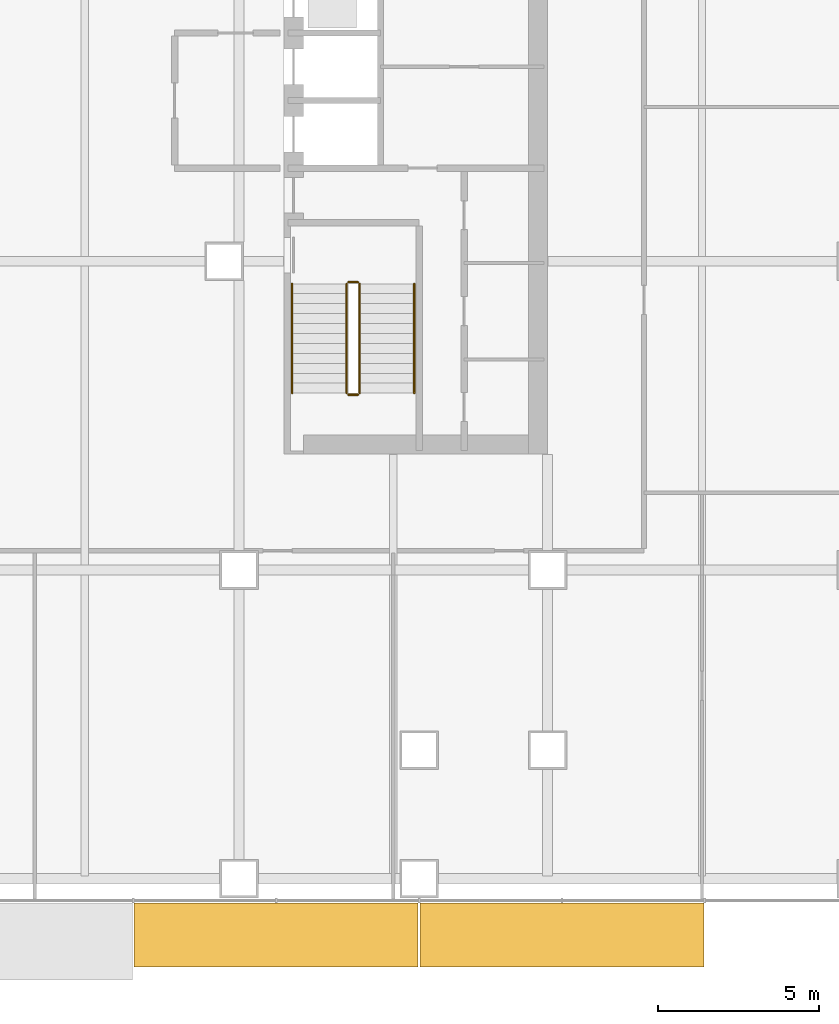
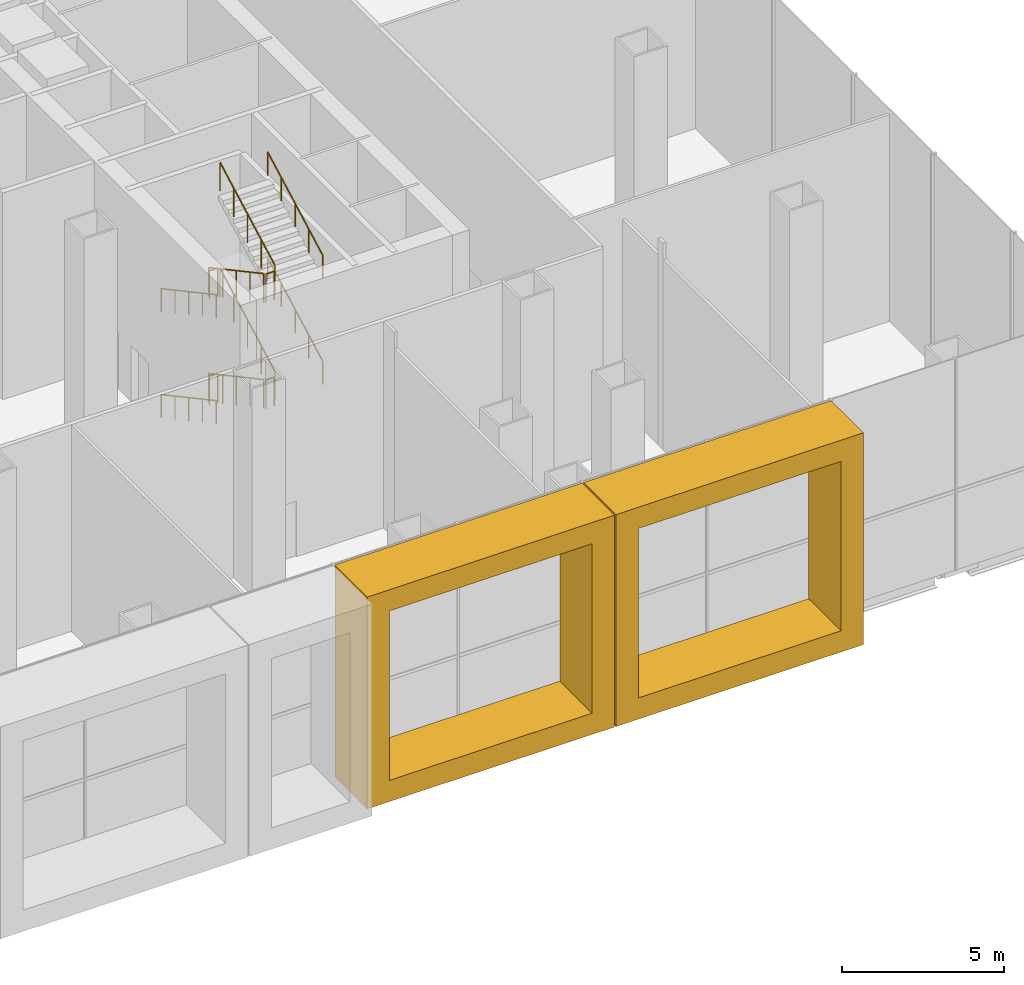
# One storey, part 22 of 24: 12 railings, 2 coverings.
"""IFC4 building model written with IfcOpenShell, lengths in metres."""

from ifc_helpers import new_model, si_unit, direction, frame, origin, origin_2d, place, context, subcontext, project, spatial, polyline, circle, outline, extrude, material, type_object, element, save


model = new_model("IFC4")

# Units and contexts
model_context = context("Model", 3, precision=1e-05, world=origin(), true_north=direction((0.0, 1.0)))
body_context = subcontext(model_context, "Body", "Model", "MODEL_VIEW")
ifc_project = project(units=[si_unit("LENGTHUNIT", "METRE"), si_unit("AREAUNIT", "SQUARE_METRE"), si_unit("VOLUMEUNIT", "CUBIC_METRE"), si_unit("PLANEANGLEUNIT", "RADIAN"), si_unit("MASSUNIT", "GRAM", prefix="KILO")], contexts=[model_context])

# Site, building, storey
site_placement = place(None, origin())
site = spatial("IfcSite", under=ifc_project, at=site_placement, CompositionType="ELEMENT")
building_placement = place(site_placement, origin())
building = spatial("IfcBuilding", under=site, at=building_placement, Name="Cobrizo Arcos Hotel Tower", CompositionType="ELEMENT")
storey_placement = place(building_placement, frame((0.0, 0.0, 7.5)))
storey = spatial("IfcBuildingStorey", under=building, at=storey_placement, Name="L01", CompositionType="ELEMENT", Elevation=7.5)

# Coverings
ifc_material_1 = material(Name="Aluminium 6063-T6 anodised bronze", Category="aluminium")
covering_type = type_object("IfcCoveringType", Name="FIN-F 2000", PredefinedType="CLADDING", material=ifc_material_1)
for number, where, z_axis, x_axis, name in (
    (1, (11.135986328125, -24.75, 0.0), (0.0, -1.0, 0.0), (1.0, 0.0, 0.0), "Fin frame 489"),
    (2, (20.02490234375, -24.75, 0.0), (0.0, -1.0, 0.0), (1.0, 0.0, 0.0), "Fin frame 490"),
):
    element("IfcCovering", number, at=place(storey_placement, frame(where, z_axis=z_axis, x_axis=x_axis)), inside=storey, type_object=covering_type, Name=name, PredefinedType="CLADDING", context=body_context, shape_type="SweptSolid", body=[
        extrude(outline(polyline([(0.0, 8.0), (0.0, 0.0), (8.8388671875, 0.0), (8.8388671875, 8.0), (0.0, 8.0)]), holes=[polyline([(8.038818359375, 0.800048828125), (0.800048828125, 0.800048828125), (0.800048828125, 7.199951171875), (8.038818359375, 7.199951171875), (8.038818359375, 0.800048828125)])]), origin(), (0.0, 0.0, 1.0), 2.0),
    ])

# Railings
ifc_material_2 = material(Name="Stainless steel railing", Category="steel")
railing_type_1 = type_object("IfcRailingType", Name="Stair guard 1100", PredefinedType="GUARDRAIL", material=ifc_material_2)
railing_1_placement = place(storey_placement, frame((17.75, -5.5, 0.166748046875)))
element("IfcRailing", 3, at=railing_1_placement, inside=storey, type_object=railing_type_1, Name="L01 ST-E stair guard 1", PredefinedType="GUARDRAIL", context=body_context, shape_type="SweptSolid", body=[
    extrude(circle(Radius=0.02392578125, at=origin_2d()), frame((0.0, 0.0, 1.076171875), z_axis=(0.0, -0.880196966628, 0.4746085755), x_axis=(1.0, 0.0, 0.0)), (0.0, 0.0, 1.0), 3.862548828125),
    extrude(circle(Radius=0.02099609375, at=origin_2d()), origin(), (0.0, 0.0, 1.0), 1.052001953125),
    extrude(circle(Radius=0.02099609375, at=origin_2d()), frame((0.0, -0.85009765625, 0.458251953125)), (0.0, 0.0, 1.0), 1.052001953125),
    extrude(circle(Radius=0.02099609375, at=origin_2d()), frame((0.0, -1.699951171875, 0.91650390625)), (0.0, 0.0, 1.0), 1.052001953125),
    extrude(circle(Radius=0.02099609375, at=origin_2d()), frame((0.0, -2.5498046875, 1.375)), (0.0, 0.0, 1.0), 1.052001953125),
    extrude(circle(Radius=0.02099609375, at=origin_2d()), frame((0.0, -3.39990234375, 1.833251953125)), (0.0, 0.0, 1.0), 1.052001953125),
])
railing_2_placement = place(storey_placement, frame((17.800048828125, -8.949951171875, 2.0)))
element("IfcRailing", 4, at=railing_2_placement, inside=storey, type_object=railing_type_1, Name="L01 ST-E stair guard 2", PredefinedType="GUARDRAIL", context=body_context, shape_type="SweptSolid", body=[
    extrude(circle(Radius=0.02392578125, at=origin_2d()), frame((0.0, 0.0, 1.076171875), z_axis=(1.0, 0.0, 0.0), x_axis=(0.0, 1.0, 0.0)), (0.0, 0.0, 1.0), 0.300048828125),
    extrude(circle(Radius=0.02099609375, at=origin_2d()), origin(), (0.0, 0.0, 1.0), 1.052001953125),
    extrude(circle(Radius=0.02099609375, at=origin_2d()), frame((0.300048828125, 0.0, 0.0)), (0.0, 0.0, 1.0), 1.052001953125),
])
railing_3_placement = place(storey_placement, frame((18.14990234375, -8.89990234375, 2.166748046875)))
element("IfcRailing", 5, at=railing_3_placement, inside=storey, type_object=railing_type_1, Name="L01 ST-E stair guard 3", PredefinedType="GUARDRAIL", context=body_context, shape_type="SweptSolid", body=[
    extrude(circle(Radius=0.02392578125, at=origin_2d()), frame((0.0, 0.0, 1.076171875), z_axis=(0.0, 0.880196966628, 0.4746085755), x_axis=(-1.0, 0.0, 0.0)), (0.0, 0.0, 1.0), 3.862548828125),
    extrude(circle(Radius=0.02099609375, at=origin_2d()), origin(), (0.0, 0.0, 1.0), 1.052001953125),
    extrude(circle(Radius=0.02099609375, at=origin_2d()), frame((0.0, 0.85009765625, 0.458251953125)), (0.0, 0.0, 1.0), 1.052001953125),
    extrude(circle(Radius=0.02099609375, at=origin_2d()), frame((0.0, 1.699951171875, 0.91650390625)), (0.0, 0.0, 1.0), 1.052001953125),
    extrude(circle(Radius=0.02099609375, at=origin_2d()), frame((0.0, 2.5498046875, 1.375)), (0.0, 0.0, 1.0), 1.052001953125),
    extrude(circle(Radius=0.02099609375, at=origin_2d()), frame((0.0, 3.39990234375, 1.833251953125)), (0.0, 0.0, 1.0), 1.052001953125),
])
railing_4_placement = place(storey_placement, frame((17.800048828125, -5.449951171875, 4.0)))
element("IfcRailing", 6, at=railing_4_placement, inside=storey, type_object=railing_type_1, Name="L01 ST-E stair guard 4", PredefinedType="GUARDRAIL", context=body_context, shape_type="SweptSolid", body=[
    extrude(circle(Radius=0.02392578125, at=origin_2d()), frame((0.0, 0.0, 1.076171875), z_axis=(1.0, 0.0, 0.0), x_axis=(0.0, 1.0, 0.0)), (0.0, 0.0, 1.0), 0.300048828125),
    extrude(circle(Radius=0.02099609375, at=origin_2d()), origin(), (0.0, 0.0, 1.0), 1.052001953125),
    extrude(circle(Radius=0.02099609375, at=origin_2d()), frame((0.300048828125, 0.0, 0.0)), (0.0, 0.0, 1.0), 1.052001953125),
])
railing_5_placement = place(storey_placement, frame((17.75, -5.5, 4.166748046875)))
element("IfcRailing", 7, at=railing_5_placement, inside=storey, type_object=railing_type_1, Name="L01 ST-E stair guard 5", PredefinedType="GUARDRAIL", context=body_context, shape_type="SweptSolid", body=[
    extrude(circle(Radius=0.02392578125, at=origin_2d()), frame((0.0, 0.0, 1.076171875), z_axis=(0.0, -0.880196966628, 0.4746085755), x_axis=(1.0, 0.0, 0.0)), (0.0, 0.0, 1.0), 3.862548828125),
    extrude(circle(Radius=0.02099609375, at=origin_2d()), origin(), (0.0, 0.0, 1.0), 1.052001953125),
    extrude(circle(Radius=0.02099609375, at=origin_2d()), frame((0.0, -0.85009765625, 0.458251953125)), (0.0, 0.0, 1.0), 1.052001953125),
    extrude(circle(Radius=0.02099609375, at=origin_2d()), frame((0.0, -1.699951171875, 0.91650390625)), (0.0, 0.0, 1.0), 1.052001953125),
    extrude(circle(Radius=0.02099609375, at=origin_2d()), frame((0.0, -2.5498046875, 1.375)), (0.0, 0.0, 1.0), 1.052001953125),
    extrude(circle(Radius=0.02099609375, at=origin_2d()), frame((0.0, -3.39990234375, 1.833251953125)), (0.0, 0.0, 1.0), 1.052001953125),
])
railing_6_placement = place(storey_placement, frame((17.800048828125, -8.949951171875, 6.0)))
element("IfcRailing", 8, at=railing_6_placement, inside=storey, type_object=railing_type_1, Name="L01 ST-E stair guard 6", PredefinedType="GUARDRAIL", context=body_context, shape_type="SweptSolid", body=[
    extrude(circle(Radius=0.02392578125, at=origin_2d()), frame((0.0, 0.0, 1.076171875), z_axis=(1.0, 0.0, 0.0), x_axis=(0.0, 1.0, 0.0)), (0.0, 0.0, 1.0), 0.300048828125),
    extrude(circle(Radius=0.02099609375, at=origin_2d()), origin(), (0.0, 0.0, 1.0), 1.052001953125),
    extrude(circle(Radius=0.02099609375, at=origin_2d()), frame((0.300048828125, 0.0, 0.0)), (0.0, 0.0, 1.0), 1.052001953125),
])
railing_7_placement = place(storey_placement, frame((18.14990234375, -8.89990234375, 6.166748046875)))
element("IfcRailing", 9, at=railing_7_placement, inside=storey, type_object=railing_type_1, Name="L01 ST-E stair guard 7", PredefinedType="GUARDRAIL", context=body_context, shape_type="SweptSolid", body=[
    extrude(circle(Radius=0.02392578125, at=origin_2d()), frame((0.0, 0.0, 1.076171875), z_axis=(0.0, 0.880196966628, 0.4746085755), x_axis=(-1.0, 0.0, 0.0)), (0.0, 0.0, 1.0), 3.862548828125),
    extrude(circle(Radius=0.02099609375, at=origin_2d()), origin(), (0.0, 0.0, 1.0), 1.052001953125),
    extrude(circle(Radius=0.02099609375, at=origin_2d()), frame((0.0, 0.85009765625, 0.458251953125)), (0.0, 0.0, 1.0), 1.052001953125),
    extrude(circle(Radius=0.02099609375, at=origin_2d()), frame((0.0, 1.699951171875, 0.91650390625)), (0.0, 0.0, 1.0), 1.052001953125),
    extrude(circle(Radius=0.02099609375, at=origin_2d()), frame((0.0, 2.5498046875, 1.375)), (0.0, 0.0, 1.0), 1.052001953125),
    extrude(circle(Radius=0.02099609375, at=origin_2d()), frame((0.0, 3.39990234375, 1.833251953125)), (0.0, 0.0, 1.0), 1.052001953125),
])
railing_8_placement = place(storey_placement, frame((17.800048828125, -5.449951171875, 0.0)))
element("IfcRailing", 10, at=railing_8_placement, inside=storey, type_object=railing_type_1, Name="L01 ST-E stair guard 8", PredefinedType="GUARDRAIL", context=body_context, shape_type="SweptSolid", body=[
    extrude(circle(Radius=0.02392578125, at=origin_2d()), frame((0.0, 0.0, 1.076171875), z_axis=(1.0, 0.0, 0.0), x_axis=(0.0, 1.0, 0.0)), (0.0, 0.0, 1.0), 0.300048828125),
    extrude(circle(Radius=0.02099609375, at=origin_2d()), origin(), (0.0, 0.0, 1.0), 1.052001953125),
    extrude(circle(Radius=0.02099609375, at=origin_2d()), frame((0.300048828125, 0.0, 0.0)), (0.0, 0.0, 1.0), 1.052001953125),
])
railing_type_2 = type_object("IfcRailingType", Name="Stair handrail", PredefinedType="HANDRAIL", material=ifc_material_2)
railing_9_placement = place(storey_placement, frame((16.050048828125, -5.5, 0.166748046875)))
element("IfcRailing", 11, at=railing_9_placement, inside=storey, type_object=railing_type_2, Name="L01 ST-E stair handrail 1", PredefinedType="HANDRAIL", context=body_context, shape_type="SweptSolid", body=[
    extrude(circle(Radius=0.02392578125, at=origin_2d()), frame((0.0, 0.0, 0.8759765625), z_axis=(0.0, -0.880196966628, 0.4746085755), x_axis=(1.0, 0.0, 0.0)), (0.0, 0.0, 1.0), 3.862548828125),
    extrude(circle(Radius=0.02099609375, at=origin_2d()), origin(), (0.0, 0.0, 1.0), 0.851806640625),
    extrude(circle(Radius=0.02099609375, at=origin_2d()), frame((0.0, -0.85009765625, 0.458251953125)), (0.0, 0.0, 1.0), 0.851806640625),
    extrude(circle(Radius=0.02099609375, at=origin_2d()), frame((0.0, -1.699951171875, 0.91650390625)), (0.0, 0.0, 1.0), 0.851806640625),
    extrude(circle(Radius=0.02099609375, at=origin_2d()), frame((0.0, -2.5498046875, 1.375)), (0.0, 0.0, 1.0), 0.851806640625),
    extrude(circle(Radius=0.02099609375, at=origin_2d()), frame((0.0, -3.39990234375, 1.833251953125)), (0.0, 0.0, 1.0), 0.851806640625),
])
railing_10_placement = place(storey_placement, frame((19.85009765625, -8.89990234375, 2.166748046875)))
element("IfcRailing", 12, at=railing_10_placement, inside=storey, type_object=railing_type_2, Name="L01 ST-E stair handrail 2", PredefinedType="HANDRAIL", context=body_context, shape_type="SweptSolid", body=[
    extrude(circle(Radius=0.02392578125, at=origin_2d()), frame((0.0, 0.0, 0.8759765625), z_axis=(0.0, 0.880196966628, 0.4746085755), x_axis=(-1.0, 0.0, 0.0)), (0.0, 0.0, 1.0), 3.862548828125),
    extrude(circle(Radius=0.02099609375, at=origin_2d()), origin(), (0.0, 0.0, 1.0), 0.851806640625),
    extrude(circle(Radius=0.02099609375, at=origin_2d()), frame((0.0, 0.85009765625, 0.458251953125)), (0.0, 0.0, 1.0), 0.851806640625),
    extrude(circle(Radius=0.02099609375, at=origin_2d()), frame((0.0, 1.699951171875, 0.91650390625)), (0.0, 0.0, 1.0), 0.851806640625),
    extrude(circle(Radius=0.02099609375, at=origin_2d()), frame((0.0, 2.5498046875, 1.375)), (0.0, 0.0, 1.0), 0.851806640625),
    extrude(circle(Radius=0.02099609375, at=origin_2d()), frame((0.0, 3.39990234375, 1.833251953125)), (0.0, 0.0, 1.0), 0.851806640625),
])
railing_11_placement = place(storey_placement, frame((16.050048828125, -5.5, 4.166748046875)))
element("IfcRailing", 13, at=railing_11_placement, inside=storey, type_object=railing_type_2, Name="L01 ST-E stair handrail 3", PredefinedType="HANDRAIL", context=body_context, shape_type="SweptSolid", body=[
    extrude(circle(Radius=0.02392578125, at=origin_2d()), frame((0.0, 0.0, 0.8759765625), z_axis=(0.0, -0.880196966628, 0.4746085755), x_axis=(1.0, 0.0, 0.0)), (0.0, 0.0, 1.0), 3.862548828125),
    extrude(circle(Radius=0.02099609375, at=origin_2d()), origin(), (0.0, 0.0, 1.0), 0.851806640625),
    extrude(circle(Radius=0.02099609375, at=origin_2d()), frame((0.0, -0.85009765625, 0.458251953125)), (0.0, 0.0, 1.0), 0.851806640625),
    extrude(circle(Radius=0.02099609375, at=origin_2d()), frame((0.0, -1.699951171875, 0.91650390625)), (0.0, 0.0, 1.0), 0.851806640625),
    extrude(circle(Radius=0.02099609375, at=origin_2d()), frame((0.0, -2.5498046875, 1.375)), (0.0, 0.0, 1.0), 0.851806640625),
    extrude(circle(Radius=0.02099609375, at=origin_2d()), frame((0.0, -3.39990234375, 1.833251953125)), (0.0, 0.0, 1.0), 0.851806640625),
])
railing_12_placement = place(storey_placement, frame((19.85009765625, -8.89990234375, 6.166748046875)))
element("IfcRailing", 14, at=railing_12_placement, inside=storey, type_object=railing_type_2, Name="L01 ST-E stair handrail 4", PredefinedType="HANDRAIL", context=body_context, shape_type="SweptSolid", body=[
    extrude(circle(Radius=0.02392578125, at=origin_2d()), frame((0.0, 0.0, 0.8759765625), z_axis=(0.0, 0.880196966628, 0.4746085755), x_axis=(-1.0, 0.0, 0.0)), (0.0, 0.0, 1.0), 3.862548828125),
    extrude(circle(Radius=0.02099609375, at=origin_2d()), origin(), (0.0, 0.0, 1.0), 0.851806640625),
    extrude(circle(Radius=0.02099609375, at=origin_2d()), frame((0.0, 0.85009765625, 0.458251953125)), (0.0, 0.0, 1.0), 0.851806640625),
    extrude(circle(Radius=0.02099609375, at=origin_2d()), frame((0.0, 1.699951171875, 0.91650390625)), (0.0, 0.0, 1.0), 0.851806640625),
    extrude(circle(Radius=0.02099609375, at=origin_2d()), frame((0.0, 2.5498046875, 1.375)), (0.0, 0.0, 1.0), 0.851806640625),
    extrude(circle(Radius=0.02099609375, at=origin_2d()), frame((0.0, 3.39990234375, 1.833251953125)), (0.0, 0.0, 1.0), 0.851806640625),
])

save(model, "model.ifc")
